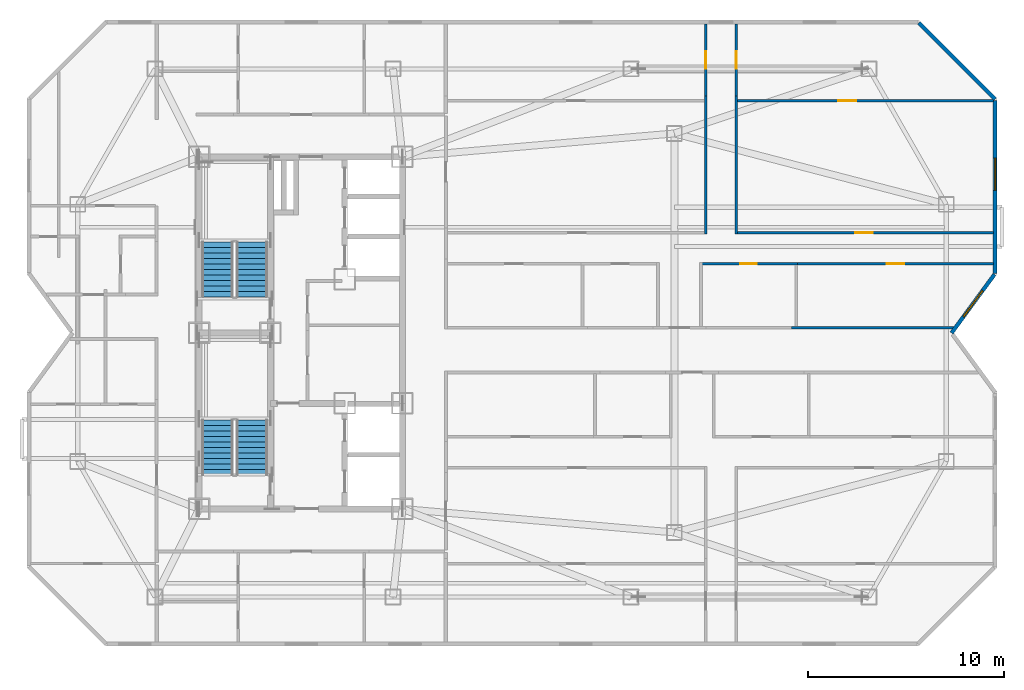
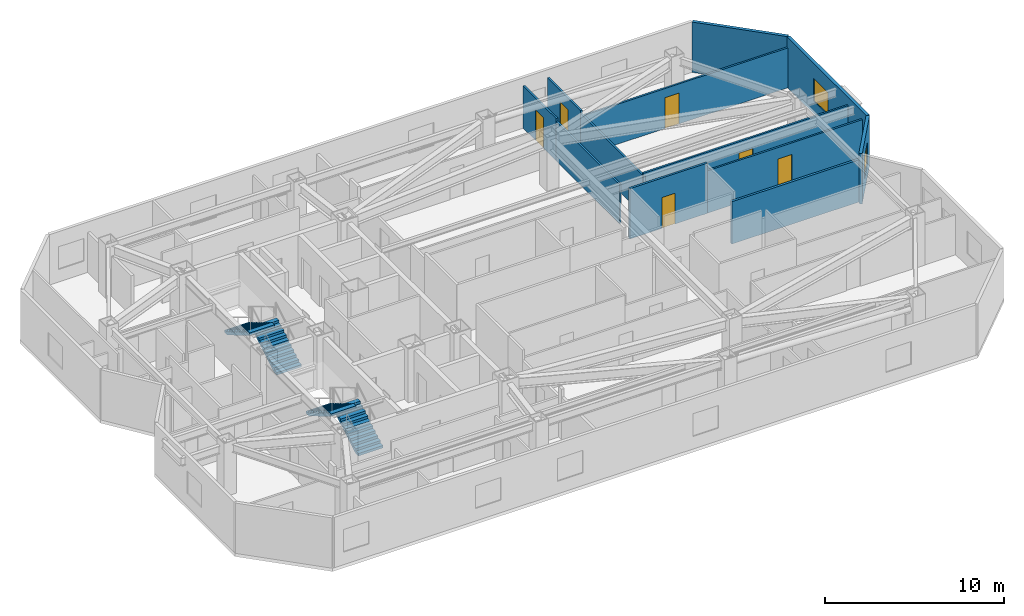
# One storey, part 8 of 9: 12 walls, 6 doors, 4 stair flights, 2 windows, 8 openings, 2 elements without a shape of their own.
"""IFC4 building model written with IfcOpenShell, lengths in metres."""

from ifc_helpers import new_model, si_unit, direction, frame, frame_2d, origin, place, context, subcontext, project, spatial, polyline, rectangle, outline, extrude, material, layer, layer_set, type_object, element, fill, aggregate, save


model = new_model("IFC4")

# Units and contexts
model_context = context("Model", 3, precision=1e-05, world=origin(), true_north=direction((0.0, 1.0)))
body_context = subcontext(model_context, "Body", "Model", "MODEL_VIEW")
ifc_project = project(units=[si_unit("LENGTHUNIT", "METRE"), si_unit("AREAUNIT", "SQUARE_METRE"), si_unit("VOLUMEUNIT", "CUBIC_METRE"), si_unit("PLANEANGLEUNIT", "RADIAN"), si_unit("MASSUNIT", "GRAM", prefix="KILO")], contexts=[model_context])

# Site, building, storey
site_placement = place(None, origin())
site = spatial("IfcSite", under=ifc_project, at=site_placement, CompositionType="ELEMENT")
building_placement = place(site_placement, origin())
building = spatial("IfcBuilding", under=site, at=building_placement, Name="Khamvora Tower", CompositionType="ELEMENT")
storey_placement = place(building_placement, frame((0.0, 0.0, 224.5)))
storey = spatial("IfcBuildingStorey", under=building, at=storey_placement, Name="L57", CompositionType="ELEMENT", Elevation=224.5)

# Walls
ifc_material_1 = material(Name="Fire-Rated Drywall and Steel Stud", Category="steel")
ifc_layer_1 = layer(ifc_material_1, 0.14990234375)
ifc_layer_set_1 = layer_set([ifc_layer_1], Name="Fire-Rated Drywall and Steel Stud")
wall_type_1 = type_object("IfcWallType", Name="WAL-CORR-150", PredefinedType="STANDARD", material=ifc_layer_set_1)
wall_1_placement = place(storey_placement, frame((59.281982421875, 28.264892578125, 0.0), z_axis=(0.0, 0.0, 1.0), x_axis=(1.0, 0.0, 0.0)))
element("IfcWall", 1, at=wall_1_placement, inside=storey, type_object=wall_type_1, Name="L57 interior partition wall 028", PredefinedType="STANDARD", context=body_context, shape_type="SweptSolid", body=[
    extrude(rectangle(XDim=8.284912109375, YDim=0.14990234375, at=frame_2d((4.142578125, 0.0))), origin(), (0.0, 0.0, 1.0), 2.886962890625),
])
ifc_material_2 = material(Name="Precast concrete C40/50", Category="concrete")
ifc_layer_2 = layer(ifc_material_2, 0.199951171875)
ifc_layer_set_2 = layer_set([ifc_layer_2], Name="Precast concrete C40/50")
wall_type_2 = type_object("IfcWallType", Name="WAL-EXT-200", PredefinedType="STANDARD", material=ifc_layer_set_2)
wall_2_placement = place(storey_placement, frame((65.802001953125, 43.85693359375, 0.0), z_axis=(0.0, 0.0, 1.0), x_axis=(0.707106781187, -0.707106781187, 0.0)))
element("IfcWall", 2, at=wall_2_placement, inside=storey, type_object=wall_type_2, Name="L57 exterior facade wall 08.1", PredefinedType="STANDARD", context=body_context, shape_type="SweptSolid", body=[
    extrude(rectangle(XDim=5.512451171875, YDim=0.199951171875, at=frame_2d((2.75634765625, 0.0))), origin(), (0.0, 0.0, 1.0), 3.429931640625),
])

# Wall, opening, window
wall_3_placement = place(storey_placement, frame((69.699951171875, 39.89599609375, 0.0), z_axis=(0.0, 0.0, 1.0), x_axis=(0.0, -1.0, 0.0)))
wall_3 = element("IfcWall", 3, at=wall_3_placement, inside=storey, type_object=wall_type_2, Name="L57 exterior facade wall 09.1", PredefinedType="STANDARD", context=body_context, shape_type="SweptSolid", body=[
    extrude(rectangle(XDim=8.863037109375, YDim=0.199951171875, at=frame_2d((4.431640625, 0.0))), origin(), (0.0, 0.0, 1.0), 3.429931640625),
])
opening_1_placement = place(wall_3_placement, frame((2.95703125, 0.0, 0.85009765625)))
opening_1 = element("IfcOpeningElement", 4, at=opening_1_placement, cuts=wall_3, Name="Opening WN-06", PredefinedType="OPENING", context=body_context, shape_type="SweptSolid", body=[
    extrude(rectangle(XDim=1.64990234375, YDim=1.550048828125, at=frame_2d((0.824951171875, 0.77490234375))), frame((0.0, 0.10986328125, 0.0), z_axis=(0.0, -1.0, 0.0), x_axis=(1.0, 0.0, 0.0)), (0.0, 0.0, 1.0), 0.219970703125),
])
ifc_material_3 = material(Name="Low-E Laminated Double Glazing", Category="glass")
window_type = type_object("IfcWindowType", Name="WIN-VIS-1650x1550", PartitioningType="SINGLE_PANEL", PredefinedType="WINDOW", material=ifc_material_3)
window_1_placement = place(opening_1_placement, origin())
window_1 = element("IfcWindow", 5, at=window_1_placement, inside=storey, type_object=window_type, Name="L57 vision window 09.1.01", OverallHeight=1.550048828125, OverallWidth=1.64990234375, PartitioningType="SINGLE_PANEL", PredefinedType="WINDOW", context=body_context, shape_type="SweptSolid", body=[
    extrude(rectangle(XDim=1.64990234375, YDim=1.550048828125, at=frame_2d((0.824951171875, 0.77490234375))), frame((0.0, 0.030029296875, 0.0), z_axis=(0.0, -1.0, 0.0), x_axis=(1.0, 0.0, 0.0)), (0.0, 0.0, 1.0), 0.06005859375),
])
fill(opening_1, window_1)

wall_4_placement = place(storey_placement, frame((69.669921875, 30.991943359375, 0.0), z_axis=(0.0, 0.0, 1.0), x_axis=(-0.591320870733, -0.806436375566, 0.0)))
wall_4 = element("IfcWall", 6, at=wall_4_placement, inside=storey, type_object=wall_type_2, Name="L57 exterior facade wall 10.1", PredefinedType="STANDARD", context=body_context, shape_type="SweptSolid", body=[
    extrude(rectangle(XDim=3.7099609375, YDim=0.199951171875, at=frame_2d((1.85498046875, 0.0))), origin(), (0.0, 0.0, 1.0), 3.429931640625),
])
opening_2_placement = place(wall_4_placement, frame((1.030029296875, 0.0, 0.85009765625)))
opening_2 = element("IfcOpeningElement", 7, at=opening_2_placement, cuts=wall_4, Name="Opening WN-06", PredefinedType="OPENING", context=body_context, shape_type="SweptSolid", body=[
    extrude(rectangle(XDim=1.64990234375, YDim=1.550048828125, at=frame_2d((0.824951171875, 0.77490234375))), frame((0.0, 0.10986328125, 0.0), z_axis=(0.0, -1.0, 0.0), x_axis=(1.0, 0.0, 0.0)), (0.0, 0.0, 1.0), 0.219970703125),
])
window_2_placement = place(opening_2_placement, origin())
window_2 = element("IfcWindow", 8, at=window_2_placement, inside=storey, type_object=window_type, Name="L57 vision window 10.1.01", OverallHeight=1.550048828125, OverallWidth=1.64990234375, PartitioningType="SINGLE_PANEL", PredefinedType="WINDOW", context=body_context, shape_type="SweptSolid", body=[
    extrude(rectangle(XDim=1.64990234375, YDim=1.550048828125, at=frame_2d((0.824951171875, 0.77490234375))), frame((0.0, 0.030029296875, 0.0), z_axis=(0.0, -1.0, 0.0), x_axis=(1.0, 0.0, 0.0)), (0.0, 0.0, 1.0), 0.06005859375),
])
fill(opening_2, window_2)

# Wall, opening, door
ifc_material_4 = material(Name="Gypsum Plasterboard Partition", Category="gypsum")
ifc_layer_3 = layer(ifc_material_4, 0.1201171875)
ifc_layer_set_3 = layer_set([ifc_layer_3], Name="Gypsum Plasterboard Partition")
wall_type_3 = type_object("IfcWallType", Name="WAL-PART-120", PredefinedType="PARTITIONING", material=ifc_layer_set_3)
wall_5_placement = place(storey_placement, frame((59.595947265625, 31.535888671875, 0.0), z_axis=(0.0, 0.0, 1.0), x_axis=(1.0, 0.0, 0.0)))
wall_5 = element("IfcWall", 9, at=wall_5_placement, inside=storey, type_object=wall_type_3, Name="L57 interior partition wall 079", PredefinedType="PARTITIONING", context=body_context, shape_type="SweptSolid", body=[
    extrude(rectangle(XDim=10.011962890625, YDim=0.1201171875, at=frame_2d((5.005859375, 0.0))), origin(), (0.0, 0.0, 1.0), 2.886962890625),
])
opening_3_placement = place(wall_5_placement, frame((4.555908203125, 0.0, 0.0)))
opening_3 = element("IfcOpeningElement", 10, at=opening_3_placement, cuts=wall_5, Name="Opening D-RM1", PredefinedType="OPENING", context=body_context, shape_type="SweptSolid", body=[
    extrude(rectangle(XDim=0.89990234375, YDim=2.10009765625, at=frame_2d((0.449951171875, 1.050048828125))), frame((0.0, 0.070068359375, 0.0), z_axis=(0.0, -1.0, 0.0), x_axis=(1.0, 0.0, 0.0)), (0.0, 0.0, 1.0), 0.14013671875),
])
ifc_material_5 = material(Name="Powder-Coated Steel and Hardwood Leaf", Category="steel")
door_type_1 = type_object("IfcDoorType", Name="DOR-ROOM-900", OperationType="NOTDEFINED", PredefinedType="DOOR", material=ifc_material_5)
door_1_placement = place(opening_3_placement, origin())
door_1 = element("IfcDoor", 11, at=door_1_placement, inside=storey, type_object=door_type_1, Name="L57 interior door 57EBW2-57EBH", OperationType="SINGLE_SWING_RIGHT", OverallHeight=2.10009765625, OverallWidth=0.89990234375, PredefinedType="DOOR", context=body_context, shape_type="SweptSolid", body=[
    extrude(rectangle(XDim=0.89990234375, YDim=2.10009765625, at=frame_2d((0.449951171875, 1.050048828125))), frame((0.0, 0.02490234375, 0.0), z_axis=(0.0, -1.0, 0.0), x_axis=(1.0, 0.0, 0.0)), (0.0, 0.0, 1.0), 0.050048828125),
])
fill(opening_3, door_1)

# Wall
wall_6_placement = place(storey_placement, frame((54.89990234375, 33.051025390625, 0.0), z_axis=(0.0, 0.0, 1.0), x_axis=(0.0, 1.0, 0.0)))
element("IfcWall", 12, at=wall_6_placement, inside=storey, type_object=wall_type_3, Name="L57 interior partition wall 086", PredefinedType="PARTITIONING", context=body_context, shape_type="SweptSolid", body=[
    extrude(rectangle(XDim=7.06201171875, YDim=0.1201171875, at=frame_2d((3.531005859375, 0.0))), origin(), (0.0, 0.0, 1.0), 2.68701171875),
])

# Wall, opening, door
wall_7_placement = place(storey_placement, frame((54.89990234375, 40.113037109375, 0.0), z_axis=(0.0, 0.0, 1.0), x_axis=(0.0, 1.0, 0.0)))
wall_7 = element("IfcWall", 13, at=wall_7_placement, inside=storey, type_object=wall_type_3, Name="L57 interior partition wall 087", PredefinedType="PARTITIONING", context=body_context, shape_type="SweptSolid", body=[
    extrude(rectangle(XDim=3.695068359375, YDim=0.1201171875, at=frame_2d((1.84765625, 0.0))), origin(), (0.0, 0.0, 1.0), 2.886962890625),
])
opening_4_placement = place(wall_7_placement, frame((1.39697265625, 0.0, 0.0)))
opening_4 = element("IfcOpeningElement", 14, at=opening_4_placement, cuts=wall_7, Name="Opening D-RM1", PredefinedType="OPENING", context=body_context, shape_type="SweptSolid", body=[
    extrude(rectangle(XDim=0.89990234375, YDim=2.10009765625, at=frame_2d((0.449951171875, 1.050048828125))), frame((0.0, 0.070068359375, 0.0), z_axis=(0.0, -1.0, 0.0), x_axis=(1.0, 0.0, 0.0)), (0.0, 0.0, 1.0), 0.14013671875),
])
door_2_placement = place(opening_4_placement, origin())
door_2 = element("IfcDoor", 15, at=door_2_placement, inside=storey, type_object=door_type_1, Name="L57 interior door 57EBH-57EBR2", OperationType="SINGLE_SWING_RIGHT", OverallHeight=2.10009765625, OverallWidth=0.89990234375, PredefinedType="DOOR", context=body_context, shape_type="SweptSolid", body=[
    extrude(rectangle(XDim=0.89990234375, YDim=2.10009765625, at=frame_2d((0.449951171875, 1.050048828125))), frame((0.0, 0.02490234375, 0.0), z_axis=(0.0, -1.0, 0.0), x_axis=(1.0, 0.0, 0.0)), (0.0, 0.0, 1.0), 0.050048828125),
])
fill(opening_4, door_2)

# Wall
wall_8_placement = place(storey_placement, frame((56.469970703125, 40.113037109375, 0.0), z_axis=(0.0, 0.0, 1.0), x_axis=(0.0, -1.0, 0.0)))
element("IfcWall", 16, at=wall_8_placement, inside=storey, type_object=wall_type_3, Name="L57 interior partition wall 088", PredefinedType="PARTITIONING", context=body_context, shape_type="SweptSolid", body=[
    extrude(rectangle(XDim=7.06201171875, YDim=0.1201171875, at=frame_2d((3.531005859375, 0.0))), origin(), (0.0, 0.0, 1.0), 2.68701171875),
])

# Wall, opening, door
wall_9_placement = place(storey_placement, frame((56.405029296875, 33.115966796875, 0.0), z_axis=(0.0, 0.0, 1.0), x_axis=(1.0, 0.0, 0.0)))
wall_9 = element("IfcWall", 17, at=wall_9_placement, inside=storey, type_object=wall_type_3, Name="L57 interior partition wall 089", PredefinedType="PARTITIONING", context=body_context, shape_type="SweptSolid", body=[
    extrude(rectangle(XDim=13.202880859375, YDim=0.1201171875, at=frame_2d((6.6015625, 0.0))), origin(), (0.0, 0.0, 1.0), 2.886962890625),
])
opening_5_placement = place(wall_9_placement, frame((6.15087890625, 0.0, 0.0)))
opening_5 = element("IfcOpeningElement", 18, at=opening_5_placement, cuts=wall_9, Name="Opening D-RM1", PredefinedType="OPENING", context=body_context, shape_type="SweptSolid", body=[
    extrude(rectangle(XDim=0.89990234375, YDim=2.10009765625, at=frame_2d((0.449951171875, 1.050048828125))), frame((0.0, 0.070068359375, 0.0), z_axis=(0.0, -1.0, 0.0), x_axis=(1.0, 0.0, 0.0)), (0.0, 0.0, 1.0), 0.14013671875),
])
door_3_placement = place(opening_5_placement, origin())
door_3 = element("IfcDoor", 19, at=door_3_placement, inside=storey, type_object=door_type_1, Name="L57 interior door 57EBH-57EBR3", OperationType="SINGLE_SWING_LEFT", OverallHeight=2.10009765625, OverallWidth=0.89990234375, PredefinedType="DOOR", context=body_context, shape_type="SweptSolid", body=[
    extrude(rectangle(XDim=0.89990234375, YDim=2.10009765625, at=frame_2d((0.449951171875, 1.050048828125))), frame((0.0, 0.02490234375, 0.0), z_axis=(0.0, -1.0, 0.0), x_axis=(1.0, 0.0, 0.0)), (0.0, 0.0, 1.0), 0.050048828125),
])
fill(opening_5, door_3)

wall_10_placement = place(storey_placement, frame((56.469970703125, 43.80810546875, 0.0), z_axis=(0.0, 0.0, 1.0), x_axis=(0.0, -1.0, 0.0)))
wall_10 = element("IfcWall", 20, at=wall_10_placement, inside=storey, type_object=wall_type_3, Name="L57 interior partition wall 090", PredefinedType="PARTITIONING", context=body_context, shape_type="SweptSolid", body=[
    extrude(rectangle(XDim=3.695068359375, YDim=0.1201171875, at=frame_2d((1.84765625, 0.0))), origin(), (0.0, 0.0, 1.0), 2.886962890625),
])
opening_6_placement = place(wall_10_placement, frame((1.39697265625, 0.0, 0.0)))
opening_6 = element("IfcOpeningElement", 21, at=opening_6_placement, cuts=wall_10, Name="Opening D-RM1", PredefinedType="OPENING", context=body_context, shape_type="SweptSolid", body=[
    extrude(rectangle(XDim=0.89990234375, YDim=2.10009765625, at=frame_2d((0.449951171875, 1.050048828125))), frame((0.0, 0.070068359375, 0.0), z_axis=(0.0, -1.0, 0.0), x_axis=(1.0, 0.0, 0.0)), (0.0, 0.0, 1.0), 0.14013671875),
])
door_4_placement = place(opening_6_placement, origin())
door_4 = element("IfcDoor", 22, at=door_4_placement, inside=storey, type_object=door_type_1, Name="L57 interior door 57EBH-57EBR4", OperationType="SINGLE_SWING_RIGHT", OverallHeight=2.10009765625, OverallWidth=0.89990234375, PredefinedType="DOOR", context=body_context, shape_type="SweptSolid", body=[
    extrude(rectangle(XDim=0.89990234375, YDim=2.10009765625, at=frame_2d((0.449951171875, 1.050048828125))), frame((0.0, 0.02490234375, 0.0), z_axis=(0.0, -1.0, 0.0), x_axis=(1.0, 0.0, 0.0)), (0.0, 0.0, 1.0), 0.050048828125),
])
fill(opening_6, door_4)

wall_11_placement = place(storey_placement, frame((56.52392578125, 39.864013671875, 0.0), z_axis=(0.0, 0.0, 1.0), x_axis=(1.0, 0.0, 0.0)))
wall_11 = element("IfcWall", 23, at=wall_11_placement, inside=storey, type_object=wall_type_3, Name="L57 interior partition wall 092", PredefinedType="PARTITIONING", context=body_context, shape_type="SweptSolid", body=[
    extrude(rectangle(XDim=13.083984375, YDim=0.1201171875, at=frame_2d((6.5419921875, 0.0))), origin(), (0.0, 0.0, 1.0), 2.72509765625),
])
opening_7_placement = place(wall_11_placement, frame((5.1669921875, 0.0, 0.0)))
opening_7 = element("IfcOpeningElement", 24, at=opening_7_placement, cuts=wall_11, Name="Opening D-RM1", PredefinedType="OPENING", context=body_context, shape_type="SweptSolid", body=[
    extrude(rectangle(XDim=0.89990234375, YDim=2.10009765625, at=frame_2d((0.449951171875, 1.050048828125))), frame((0.0, 0.070068359375, 0.0), z_axis=(0.0, -1.0, 0.0), x_axis=(1.0, 0.0, 0.0)), (0.0, 0.0, 1.0), 0.14013671875),
])
door_5_placement = place(opening_7_placement, origin())
door_5 = element("IfcDoor", 25, at=door_5_placement, inside=storey, type_object=door_type_1, Name="L57 interior door 57EBR3-57EBR4", OperationType="SINGLE_SWING_LEFT", OverallHeight=2.10009765625, OverallWidth=0.89990234375, PredefinedType="DOOR", context=body_context, shape_type="SweptSolid", body=[
    extrude(rectangle(XDim=0.89990234375, YDim=2.10009765625, at=frame_2d((0.449951171875, 1.050048828125))), frame((0.0, 0.02490234375, 0.0), z_axis=(0.0, -1.0, 0.0), x_axis=(1.0, 0.0, 0.0)), (0.0, 0.0, 1.0), 0.050048828125),
])
fill(opening_7, door_5)

ifc_material_6 = material(Name="Moisture-Resistant Plasterboard Partition", Category="gypsum")
ifc_layer_4 = layer(ifc_material_6, 0.135009765625)
ifc_layer_set_4 = layer_set([ifc_layer_4], Name="Moisture-Resistant Plasterboard Partition")
wall_type_4 = type_object("IfcWallType", Name="WAL-WET-135", PredefinedType="PARTITIONING", material=ifc_layer_set_4)
wall_12_placement = place(storey_placement, frame((59.595947265625, 31.535888671875, 0.0), z_axis=(0.0, 0.0, 1.0), x_axis=(-1.0, 0.0, 0.0)))
wall_12 = element("IfcWall", 26, at=wall_12_placement, inside=storey, type_object=wall_type_4, Name="L57 interior partition wall 083", PredefinedType="PARTITIONING", context=body_context, shape_type="SweptSolid", body=[
    extrude(rectangle(XDim=4.994873046875, YDim=0.135009765625, at=frame_2d((2.49755859375, 0.0))), origin(), (0.0, 0.0, 1.0), 3.429931640625),
])
opening_8_placement = place(wall_12_placement, frame((2.072998046875, 0.0, 0.0)))
opening_8 = element("IfcOpeningElement", 27, at=opening_8_placement, cuts=wall_12, Name="Opening D-RM2", PredefinedType="OPENING", context=body_context, shape_type="SweptSolid", body=[
    extrude(rectangle(XDim=0.85009765625, YDim=2.10009765625, at=frame_2d((0.425048828125, 1.050048828125))), frame((0.0, 0.077392578125, 0.0), z_axis=(0.0, -1.0, 0.0), x_axis=(1.0, 0.0, 0.0)), (0.0, 0.0, 1.0), 0.155029296875),
])
door_type_2 = type_object("IfcDoorType", Name="DOR-ROOM-850", OperationType="NOTDEFINED", PredefinedType="DOOR", material=ifc_material_5)
door_6_placement = place(opening_8_placement, origin())
door_6 = element("IfcDoor", 28, at=door_6_placement, inside=storey, type_object=door_type_2, Name="L57 interior door 57EBH-57EBK", OperationType="SINGLE_SWING_RIGHT", OverallHeight=2.10009765625, OverallWidth=0.85009765625, PredefinedType="DOOR", context=body_context, shape_type="SweptSolid", body=[
    extrude(rectangle(XDim=0.85009765625, YDim=2.10009765625, at=frame_2d((0.425048828125, 1.050048828125))), frame((0.0, 0.02490234375, 0.0), z_axis=(0.0, -1.0, 0.0), x_axis=(1.0, 0.0, 0.0)), (0.0, 0.0, 1.0), 0.050048828125),
])
fill(opening_8, door_6)

# Stair, stair flights
ifc_material_7 = material(Name="Concrete C40/50", Category="concrete")
stair_type_1 = type_object("IfcStairType", Name="STR-ST-01", PredefinedType="HALF_TURN_STAIR", material=ifc_material_7)
stair_1_placement = place(storey_placement, origin())
stair_1 = element("IfcStair", 29, at=stair_1_placement, inside=storey, type_object=stair_type_1, Name="L57 South Tower Exit Stair ST-01", PredefinedType="HALF_TURN_STAIR")
stair_flight_type_1 = type_object("IfcStairFlightType", Name="STF-ST-01", PredefinedType="STRAIGHT", material=ifc_material_7)
stair_flight_1_placement = place(storey_placement, frame((31.699951171875, 20.75, 0.0), z_axis=(0.0, 0.0, 1.0), x_axis=(0.0, 1.0, 0.0)))
stair_flight_1 = element("IfcStairFlight", 30, at=stair_flight_1_placement, type_object=stair_flight_type_1, Name="ST-01 flight 1", NumberOfRisers=11, NumberOfTreads=10, PredefinedType="STRAIGHT", RiserHeight=0.165909091, TreadLength=0.28, context=body_context, shape_type="SweptSolid", body=[
    extrude(outline(polyline([(0.0, 0.0), (0.0, 0.166015625), (0.280029296875, 0.166015625), (0.280029296875, 0.331787109375), (0.56005859375, 0.331787109375), (0.56005859375, 0.497802734375), (0.840087890625, 0.497802734375), (0.840087890625, 0.66357421875), (1.1201171875, 0.66357421875), (1.1201171875, 0.82958984375), (1.39990234375, 0.82958984375), (1.39990234375, 0.995361328125), (1.679931640625, 0.995361328125), (1.679931640625, 1.161376953125), (1.9599609375, 1.161376953125), (1.9599609375, 1.327392578125), (2.239990234375, 1.327392578125), (2.239990234375, 1.4931640625), (2.52001953125, 1.4931640625), (2.52001953125, 1.6591796875), (2.800048828125, 1.6591796875), (2.800048828125, 1.824951171875), (2.800048828125, 1.48486328125), (0.2939453125, 0.0), (0.0, 0.0)])), frame((0.0, 0.800048828125, 0.0), z_axis=(0.0, -1.0, 0.0), x_axis=(1.0, 0.0, 0.0)), (0.0, 0.0, 1.0), 1.60009765625),
])
stair_flight_2_placement = place(storey_placement, frame((29.949951171875, 23.550048828125, 1.824951171875), z_axis=(0.0, 0.0, 1.0), x_axis=(0.0, -1.0, 0.0)))
stair_flight_2 = element("IfcStairFlight", 31, at=stair_flight_2_placement, type_object=stair_flight_type_1, Name="ST-01 flight 2", NumberOfRisers=11, NumberOfTreads=10, PredefinedType="STRAIGHT", RiserHeight=0.165909091, TreadLength=0.28, context=body_context, shape_type="SweptSolid", body=[
    extrude(outline(polyline([(0.0, 0.0), (0.0, 0.166015625), (0.280029296875, 0.166015625), (0.280029296875, 0.331787109375), (0.56005859375, 0.331787109375), (0.56005859375, 0.497802734375), (0.840087890625, 0.497802734375), (0.840087890625, 0.66357421875), (1.1201171875, 0.66357421875), (1.1201171875, 0.82958984375), (1.39990234375, 0.82958984375), (1.39990234375, 0.995361328125), (1.679931640625, 0.995361328125), (1.679931640625, 1.161376953125), (1.9599609375, 1.161376953125), (1.9599609375, 1.327392578125), (2.239990234375, 1.327392578125), (2.239990234375, 1.4931640625), (2.52001953125, 1.4931640625), (2.52001953125, 1.6591796875), (2.800048828125, 1.6591796875), (2.800048828125, 1.824951171875), (2.800048828125, 1.48486328125), (0.2939453125, 0.0), (0.0, 0.0)])), frame((0.0, 0.800048828125, 0.0), z_axis=(0.0, -1.0, 0.0), x_axis=(1.0, 0.0, 0.0)), (0.0, 0.0, 1.0), 1.60009765625),
])
aggregate(stair_1, [stair_flight_1, stair_flight_2])

stair_type_2 = type_object("IfcStairType", Name="STR-ST-02", PredefinedType="HALF_TURN_STAIR", material=ifc_material_7)
stair_2_placement = place(storey_placement, origin())
stair_2 = element("IfcStair", 32, at=stair_2_placement, inside=storey, type_object=stair_type_2, Name="L57 North Tower Exit Stair ST-02", PredefinedType="HALF_TURN_STAIR")
stair_flight_type_2 = type_object("IfcStairFlightType", Name="STF-ST-02", PredefinedType="STRAIGHT", material=ifc_material_7)
stair_flight_3_placement = place(storey_placement, frame((31.699951171875, 29.85009765625, 0.0), z_axis=(0.0, 0.0, 1.0), x_axis=(0.0, 1.0, 0.0)))
stair_flight_3 = element("IfcStairFlight", 33, at=stair_flight_3_placement, type_object=stair_flight_type_2, Name="ST-02 flight 1", NumberOfRisers=11, NumberOfTreads=10, PredefinedType="STRAIGHT", RiserHeight=0.165909091, TreadLength=0.28, context=body_context, shape_type="SweptSolid", body=[
    extrude(outline(polyline([(0.0, 0.0), (0.0, 0.166015625), (0.280029296875, 0.166015625), (0.280029296875, 0.331787109375), (0.56005859375, 0.331787109375), (0.56005859375, 0.497802734375), (0.840087890625, 0.497802734375), (0.840087890625, 0.66357421875), (1.1201171875, 0.66357421875), (1.1201171875, 0.82958984375), (1.39990234375, 0.82958984375), (1.39990234375, 0.995361328125), (1.679931640625, 0.995361328125), (1.679931640625, 1.161376953125), (1.9599609375, 1.161376953125), (1.9599609375, 1.327392578125), (2.239990234375, 1.327392578125), (2.239990234375, 1.4931640625), (2.52001953125, 1.4931640625), (2.52001953125, 1.6591796875), (2.800048828125, 1.6591796875), (2.800048828125, 1.824951171875), (2.800048828125, 1.48486328125), (0.2939453125, 0.0), (0.0, 0.0)])), frame((0.0, 0.800048828125, 0.0), z_axis=(0.0, -1.0, 0.0), x_axis=(1.0, 0.0, 0.0)), (0.0, 0.0, 1.0), 1.60009765625),
])
stair_flight_4_placement = place(storey_placement, frame((29.949951171875, 32.64990234375, 1.824951171875), z_axis=(0.0, 0.0, 1.0), x_axis=(0.0, -1.0, 0.0)))
stair_flight_4 = element("IfcStairFlight", 34, at=stair_flight_4_placement, type_object=stair_flight_type_2, Name="ST-02 flight 2", NumberOfRisers=11, NumberOfTreads=10, PredefinedType="STRAIGHT", RiserHeight=0.165909091, TreadLength=0.28, context=body_context, shape_type="SweptSolid", body=[
    extrude(outline(polyline([(0.0, 0.0), (0.0, 0.166015625), (0.280029296875, 0.166015625), (0.280029296875, 0.331787109375), (0.56005859375, 0.331787109375), (0.56005859375, 0.497802734375), (0.840087890625, 0.497802734375), (0.840087890625, 0.66357421875), (1.1201171875, 0.66357421875), (1.1201171875, 0.82958984375), (1.39990234375, 0.82958984375), (1.39990234375, 0.995361328125), (1.679931640625, 0.995361328125), (1.679931640625, 1.161376953125), (1.9599609375, 1.161376953125), (1.9599609375, 1.327392578125), (2.239990234375, 1.327392578125), (2.239990234375, 1.4931640625), (2.52001953125, 1.4931640625), (2.52001953125, 1.6591796875), (2.800048828125, 1.6591796875), (2.800048828125, 1.824951171875), (2.800048828125, 1.48486328125), (0.2939453125, 0.0), (0.0, 0.0)])), frame((0.0, 0.800048828125, 0.0), z_axis=(0.0, -1.0, 0.0), x_axis=(1.0, 0.0, 0.0)), (0.0, 0.0, 1.0), 1.60009765625),
])
aggregate(stair_2, [stair_flight_3, stair_flight_4])

save(model, "model.ifc")
